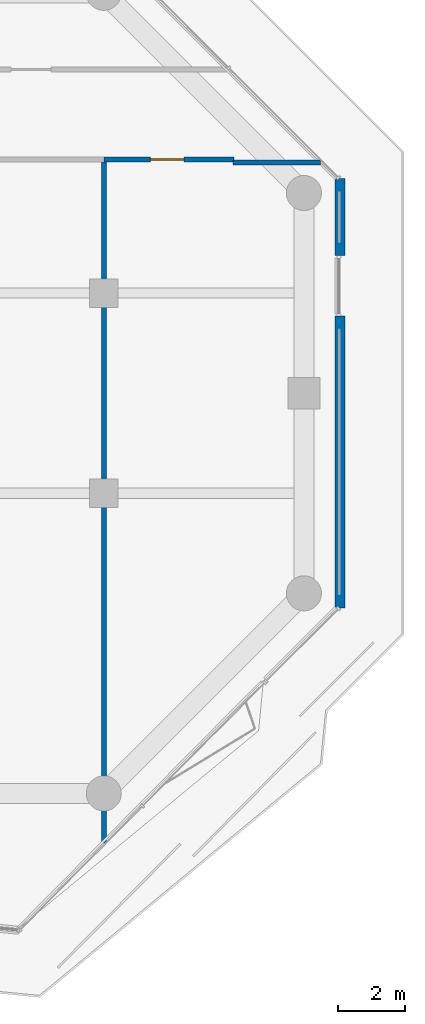
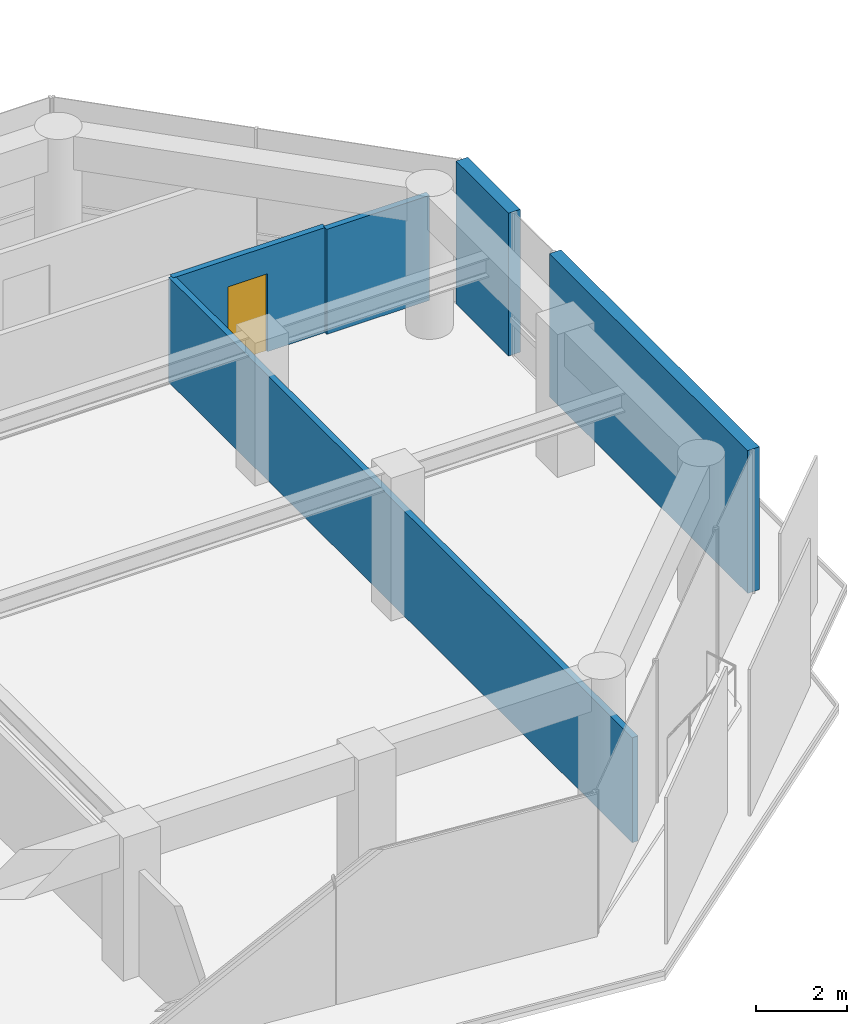
# One storey, part 28 of 31: 5 walls, 1 door, 1 opening.
"""IFC4 building model written with IfcOpenShell, lengths in metres."""

from ifc_helpers import new_model, si_unit, direction, frame, frame_2d, origin, place, context, subcontext, project, spatial, rectangle, extrude, material, layer, layer_set, type_object, element, fill, save


model = new_model("IFC4")

# Units and contexts
model_context = context("Model", 3, precision=1e-05, world=origin(), true_north=direction((0.0, 1.0)))
body_context = subcontext(model_context, "Body", "Model", "MODEL_VIEW")
ifc_project = project(units=[si_unit("LENGTHUNIT", "METRE"), si_unit("AREAUNIT", "SQUARE_METRE"), si_unit("VOLUMEUNIT", "CUBIC_METRE"), si_unit("PLANEANGLEUNIT", "RADIAN"), si_unit("MASSUNIT", "GRAM", prefix="KILO")], contexts=[model_context])

# Site, building, storey
site_placement = place(None, origin())
site = spatial("IfcSite", under=ifc_project, at=site_placement, CompositionType="ELEMENT")
building_placement = place(site_placement, origin())
building = spatial("IfcBuilding", under=site, at=building_placement, Name="Welwitschia Terrace Campus", CompositionType="ELEMENT")
storey_placement = place(building_placement, frame((0.0, 0.0, 29.0)))
storey = spatial("IfcBuildingStorey", under=building, at=storey_placement, Name="L06", CompositionType="ELEMENT", Elevation=29.0)

# Walls
ifc_material_1 = material(Name="Gypsum board on steel studs", Category="steel")
ifc_layer_1 = layer(ifc_material_1, 0.14990234375)
ifc_layer_set_1 = layer_set([ifc_layer_1], Name="Gypsum board on steel studs")
wall_type_1 = type_object("IfcWallType", Name="Corridor partition 150 EI 30", PredefinedType="PARTITIONING", material=ifc_layer_set_1)
wall_1_placement = place(storey_placement, frame((60.0, -5.47998046875, 0.0), z_axis=(0.0, 0.0, 1.0), x_axis=(0.0, 1.0, 0.0)))
element("IfcWall", 1, at=wall_1_placement, inside=storey, type_object=wall_type_1, Name="Partition", PredefinedType="PARTITIONING", context=body_context, shape_type="SweptSolid", body=[
    extrude(rectangle(XDim=20.47998046875, YDim=0.14990234375, at=frame_2d((10.239990234375, 0.0))), origin(), (0.0, 0.0, 1.0), 2.830078125),
])
wall_2_placement = place(storey_placement, frame((63.8701171875, 14.919921875, 0.0), z_axis=(0.0, 0.0, 1.0), x_axis=(1.0, 0.0, 0.0)))
element("IfcWall", 2, at=wall_2_placement, inside=storey, type_object=wall_type_1, Name="Partition", PredefinedType="PARTITIONING", context=body_context, shape_type="SweptSolid", body=[
    extrude(rectangle(XDim=2.621337890625, YDim=0.14990234375, at=frame_2d((1.310546875, 0.0))), origin(), (0.0, 0.0, 1.0), 2.830078125),
])

# Wall, opening, door
wall_3_placement = place(storey_placement, frame((63.89990234375, 15.0, 0.0), z_axis=(0.0, 0.0, 1.0), x_axis=(-1.0, 0.0, 0.0)))
wall_3 = element("IfcWall", 3, at=wall_3_placement, inside=storey, type_object=wall_type_1, Name="Partition", PredefinedType="PARTITIONING", context=body_context, shape_type="SweptSolid", body=[
    extrude(rectangle(XDim=3.89990234375, YDim=0.14990234375, at=frame_2d((1.949951171875, 0.0))), origin(), (0.0, 0.0, 1.0), 2.830078125),
])
opening_placement = place(wall_3_placement, frame((1.5, 0.0, 0.0)))
opening = element("IfcOpeningElement", 4, at=opening_placement, cuts=wall_3, Name="Opening DI10", PredefinedType="OPENING", context=body_context, shape_type="SweptSolid", body=[
    extrude(rectangle(XDim=1.0, YDim=2.10009765625, at=frame_2d((0.5, 1.050048828125))), frame((0.0, 0.0849609375, 0.0), z_axis=(0.0, -1.0, 0.0), x_axis=(1.0, 0.0, 0.0)), (0.0, 0.0, 1.0), 0.169921875),
])
ifc_material_2 = material(Name="Timber veneered door", Category="wood")
door_type = type_object("IfcDoorType", Name="Interior door DI10", OperationType="NOTDEFINED", PredefinedType="DOOR", material=ifc_material_2)
door_placement = place(opening_placement, origin())
door = element("IfcDoor", 5, at=door_placement, inside=storey, type_object=door_type, Name="Door L06 167", OperationType="SINGLE_SWING_RIGHT", OverallHeight=2.10009765625, OverallWidth=1.0, PredefinedType="DOOR", context=body_context, shape_type="SweptSolid", body=[
    extrude(rectangle(XDim=1.0, YDim=2.10009765625, at=frame_2d((0.5, 1.050048828125))), frame((0.0, 0.02490234375, 0.0), z_axis=(0.0, -1.0, 0.0), x_axis=(1.0, 0.0, 0.0)), (0.0, 0.0, 1.0), 0.050048828125),
])
fill(opening, door)

# Walls
ifc_material_3 = material(Name="Concrete C40/50", Category="concrete")
ifc_layer_2 = layer(ifc_material_3, 0.300048828125)
ifc_layer_set_2 = layer_set([ifc_layer_2], Name="Concrete C40/50")
wall_type_2 = type_object("IfcWallType", Name="Mass wall 300", PredefinedType="SOLIDWALL", material=ifc_layer_set_2)
wall_4_placement = place(storey_placement, frame((67.078857421875, 1.561767578125, 0.0), z_axis=(0.0, 0.0, 1.0), x_axis=(0.0, 1.0, 0.0)))
element("IfcWall", 6, at=wall_4_placement, inside=storey, type_object=wall_type_2, Name="Mass wall L06.7.0", PredefinedType="SOLIDWALL", context=body_context, shape_type="SweptSolid", body=[
    extrude(rectangle(XDim=8.75732421875, YDim=0.300048828125, at=frame_2d((4.378662109375, 0.0))), origin(), (0.0, 0.0, 1.0), 3.85009765625),
])
wall_5_placement = place(storey_placement, frame((67.078857421875, 12.119140625, 0.0), z_axis=(0.0, 0.0, 1.0), x_axis=(0.0, 1.0, 0.0)))
element("IfcWall", 7, at=wall_5_placement, inside=storey, type_object=wall_type_2, Name="Mass wall L06.7.1", PredefinedType="SOLIDWALL", context=body_context, shape_type="SweptSolid", body=[
    extrude(rectangle(XDim=2.319091796875, YDim=0.300048828125, at=frame_2d((1.15966796875, 0.0))), origin(), (0.0, 0.0, 1.0), 3.85009765625),
])

save(model, "model.ifc")
